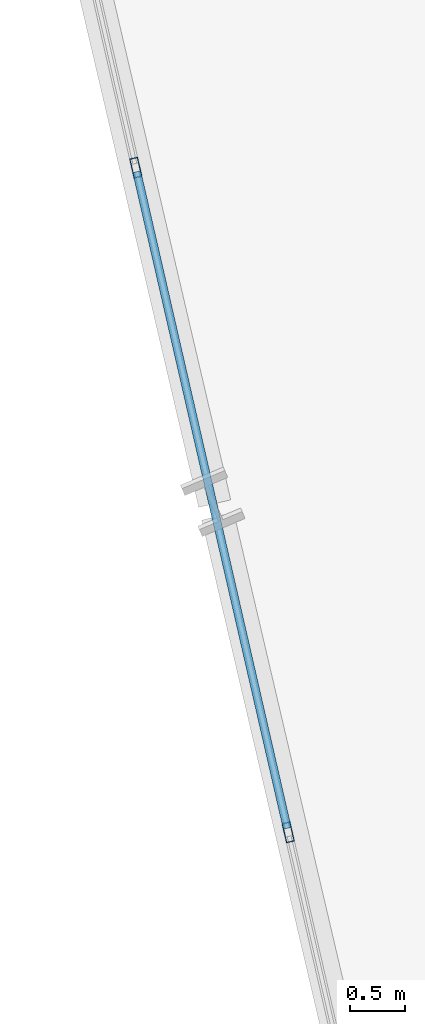
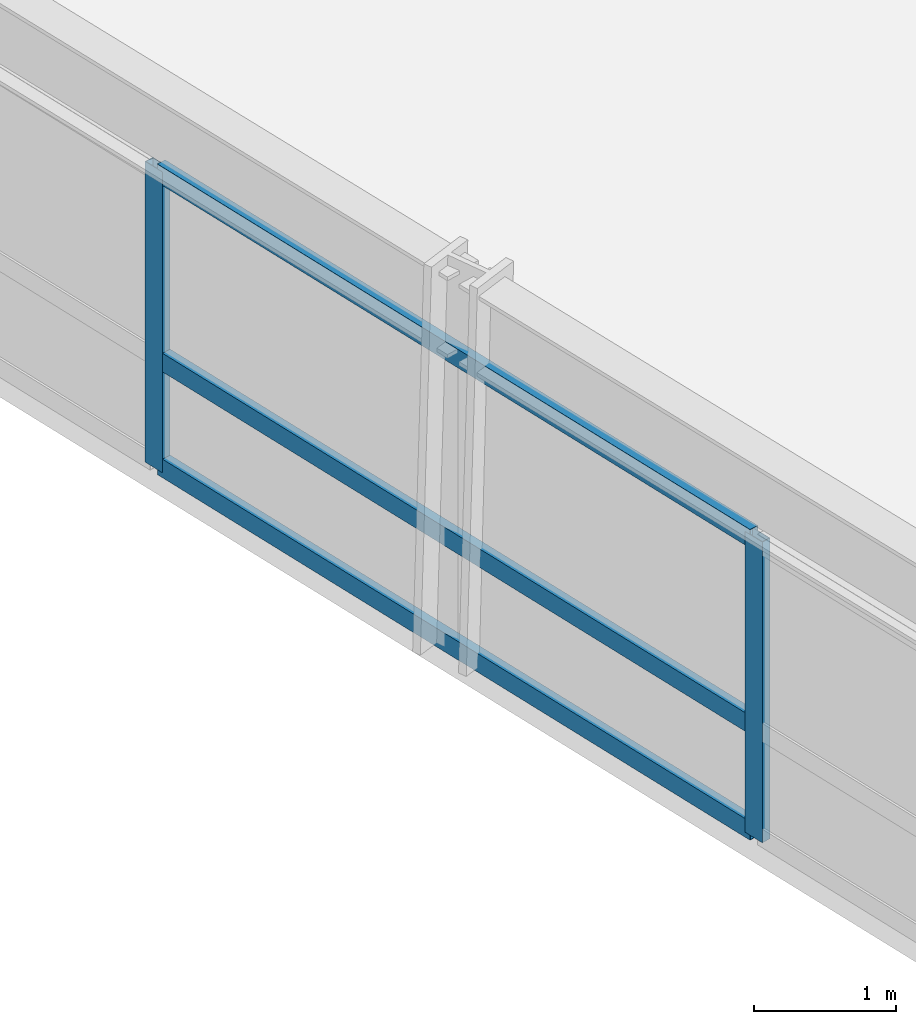
# One storey, part 4 of 23: 5 members, 1 element without a shape of its own.
"""IFC4 building model written with IfcOpenShell, lengths in metres."""

from ifc_helpers import new_model, si_unit, direction, frame, origin, origin_2d, place, context, subcontext, project, spatial, hollow_rectangle, extrude, source, transform, mapped, material, material_profile, profile_set, type_object, element, aggregate, save


model = new_model("IFC4")

# Units and contexts
model_context = context("Model", 3, precision=1e-05, world=origin(), true_north=direction((0.0, 1.0)))
body_context = subcontext(model_context, "Body", "Model", "MODEL_VIEW")
ifc_project = project(units=[si_unit("LENGTHUNIT", "METRE"), si_unit("AREAUNIT", "SQUARE_METRE"), si_unit("VOLUMEUNIT", "CUBIC_METRE"), si_unit("PLANEANGLEUNIT", "RADIAN"), si_unit("MASSUNIT", "GRAM", prefix="KILO")], contexts=[model_context])

# Site, building, storey
site_placement = place(None, origin())
site = spatial("IfcSite", under=ifc_project, at=site_placement, CompositionType="ELEMENT")
building_placement = place(site_placement, origin())
building = spatial("IfcBuilding", under=site, at=building_placement, Name="Olszyna Solenne Hotel", CompositionType="ELEMENT")
storey_placement = place(building_placement, frame((0.0, 0.0, 32.85009765625)))
storey = spatial("IfcBuildingStorey", under=building, at=storey_placement, Name="L07", CompositionType="ELEMENT", Elevation=32.85009765625)

# Curtain wall, members
ifc_material = material(Name="Anodised bronze aluminium", Category="aluminium")
curtain_wall_type = type_object("IfcCurtainWallType", Name="CW-SYS-2", PredefinedType="NOTDEFINED", material=ifc_material)
curtain_wall_placement = place(storey_placement, origin())
curtain_wall = element("IfcCurtainWall", 1, at=curtain_wall_placement, inside=storey, type_object=curtain_wall_type, Name="Unitised curtain wall CW-SYS-2 CW-L07-01", PredefinedType="NOTDEFINED")
ifc_material_profile_1 = material_profile(ifc_material, hollow_rectangle(XDim=0.074951171875, YDim=0.179931640625, WallThickness=0.00439453125, at=origin_2d()), Name="MULL 180x75x4.5", Category="load-bearing")
ifc_profile_set_1 = profile_set([ifc_material_profile_1], Name="Anodised bronze aluminium")
member_type_1 = type_object("IfcMemberType", Name="CW-M2", PredefinedType="MULLION", material=ifc_profile_set_1)
shared_shape_1 = source(origin(), body_context, "Body", "SweptSolid", [
    extrude(hollow_rectangle(XDim=0.074951171875, YDim=0.179931640625, WallThickness=0.00439453125, at=origin_2d()), origin(), (0.0, 0.0, 1.0), 2.591796875),
])
member_1_placement = place(storey_placement, frame((16.34716796875, 20.871826171875, 0.0), z_axis=(0.0, 0.0, 1.0), x_axis=(0.97469588645, 0.22353507317, 0.0)))
member_1 = element("IfcMember", 2, at=member_1_placement, type_object=member_type_1, Name="Curtain-wall mullion CW-M2 CM-L07-01-02", PredefinedType="MULLION", context=body_context, shape_type="MappedRepresentation", body=[
    mapped(shared_shape_1, transform((0.0, 0.0, 0.0), x_axis=(1.0, 0.0, 0.0), y_axis=(0.0, 1.0, 0.0), z_axis=(0.0, 0.0, 1.0), scale=1.0)),
])
member_2_placement = place(storey_placement, frame((17.737548828125, 14.809814453125, 0.0), z_axis=(0.0, 0.0, 1.0), x_axis=(0.97469588645, 0.22353507317, 0.0)))
member_2 = element("IfcMember", 3, at=member_2_placement, type_object=member_type_1, Name="Curtain-wall mullion CW-M2 CM-L07-01-03", PredefinedType="MULLION", context=body_context, shape_type="MappedRepresentation", body=[
    mapped(shared_shape_1, transform((0.0, 0.0, 0.0), x_axis=(1.0, 0.0, 0.0), y_axis=(0.0, 1.0, 0.0), z_axis=(0.0, 0.0, 1.0), scale=1.0)),
])
ifc_material_profile_2 = material_profile(ifc_material, hollow_rectangle(XDim=0.074951171875, YDim=0.159912109375, WallThickness=0.00390625, at=origin_2d()), Name="TRAN 160x75x4", Category="load-bearing")
ifc_profile_set_2 = profile_set([ifc_material_profile_2], Name="Anodised bronze aluminium")
member_type_2 = type_object("IfcMemberType", Name="CW-T1", PredefinedType="USERDEFINED", material=ifc_profile_set_2)
shared_shape_2 = source(origin(), body_context, "Body", "SweptSolid", [
    extrude(hollow_rectangle(XDim=0.074951171875, YDim=0.159912109375, WallThickness=0.00390625, at=origin_2d()), origin(), (0.0, 0.0, 1.0), 6.144287109375),
])
member_3_placement = place(storey_placement, frame((16.355712890625, 20.835205078125, 0.037353515625), z_axis=(0.223509860745, -0.974701668281, 0.0), x_axis=(0.974701668281, 0.223509860745, 0.0)))
member_3 = element("IfcMember", 4, at=member_3_placement, type_object=member_type_2, Name="Curtain-wall transom CW-T1 CT-L07-01-04", ObjectType="TRANSOM", PredefinedType="USERDEFINED", context=body_context, shape_type="MappedRepresentation", body=[
    mapped(shared_shape_2, transform((0.0, 0.0, 0.0), x_axis=(1.0, 0.0, 0.0), y_axis=(0.0, 1.0, 0.0), z_axis=(0.0, 0.0, 1.0), scale=1.0)),
])
member_4_placement = place(storey_placement, frame((16.355712890625, 20.835205078125, 0.949951171875), z_axis=(0.223509860745, -0.974701668281, 0.0), x_axis=(0.974701668281, 0.223509860745, 0.0)))
member_4 = element("IfcMember", 5, at=member_4_placement, type_object=member_type_2, Name="Curtain-wall transom CW-T1 CT-L07-01-05", ObjectType="TRANSOM", PredefinedType="USERDEFINED", context=body_context, shape_type="MappedRepresentation", body=[
    mapped(shared_shape_2, transform((0.0, 0.0, 0.0), x_axis=(1.0, 0.0, 0.0), y_axis=(0.0, 1.0, 0.0), z_axis=(0.0, 0.0, 1.0), scale=1.0)),
])
member_5_placement = place(storey_placement, frame((16.355712890625, 20.835205078125, 2.554443359375), z_axis=(0.223509860745, -0.974701668281, 0.0), x_axis=(0.974701668281, 0.223509860745, 0.0)))
member_5 = element("IfcMember", 6, at=member_5_placement, type_object=member_type_2, Name="Curtain-wall transom CW-T1 CT-L07-01-06", ObjectType="TRANSOM", PredefinedType="USERDEFINED", context=body_context, shape_type="MappedRepresentation", body=[
    mapped(shared_shape_2, transform((0.0, 0.0, 0.0), x_axis=(1.0, 0.0, 0.0), y_axis=(0.0, 1.0, 0.0), z_axis=(0.0, 0.0, 1.0), scale=1.0)),
])
aggregate(curtain_wall, [member_1, member_2, member_3, member_4, member_5])

save(model, "model.ifc")
